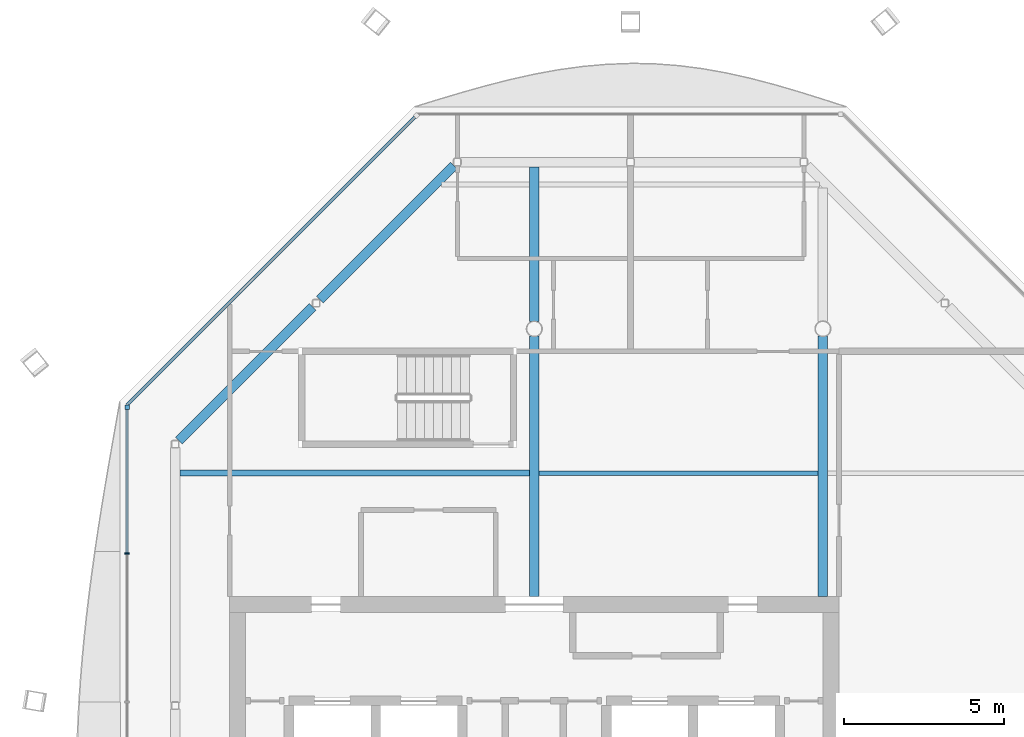
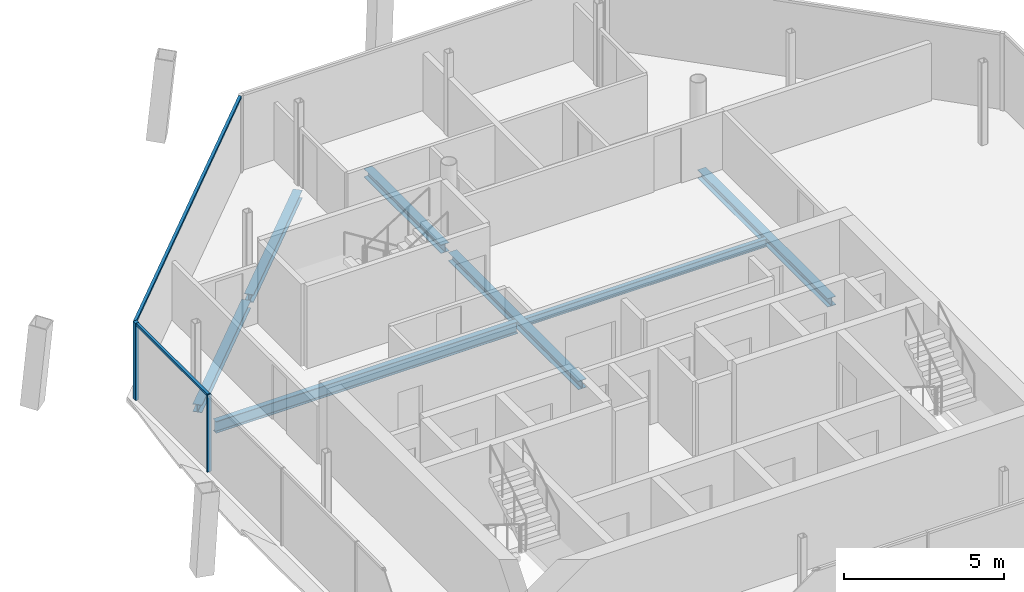
# One storey, part 5 of 13: 7 beams, 4 members, 2 elements without a shape of their own.
"""IFC4 building model written with IfcOpenShell, lengths in metres."""

from ifc_helpers import new_model, si_unit, direction, frame, origin, origin_2d, place, context, subcontext, project, spatial, rectangle, i_section, extrude, material, material_profile, profile_set, type_object, element, aggregate, save


model = new_model("IFC4")

# Units and contexts
model_context = context("Model", 3, precision=1e-05, world=origin(), true_north=direction((0.0, 1.0)))
body_context = subcontext(model_context, "Body", "Model", "MODEL_VIEW")
ifc_project = project(units=[si_unit("LENGTHUNIT", "METRE"), si_unit("AREAUNIT", "SQUARE_METRE"), si_unit("VOLUMEUNIT", "CUBIC_METRE"), si_unit("PLANEANGLEUNIT", "RADIAN"), si_unit("MASSUNIT", "GRAM", prefix="KILO")], contexts=[model_context])

# Site, building, storey
site_placement = place(None, origin())
site = spatial("IfcSite", under=ifc_project, at=site_placement, CompositionType="ELEMENT")
building_placement = place(site_placement, origin())
building = spatial("IfcBuilding", under=site, at=building_placement, Name="Tskaro Facet Tower", CompositionType="ELEMENT")
storey_placement = place(building_placement, frame((0.0, 0.0, 281.550048828125)))
storey = spatial("IfcBuildingStorey", under=building, at=storey_placement, Name="L75", CompositionType="ELEMENT", Elevation=281.550048828125)

# Curtain wall, members
ifc_material_1 = material(Name="Bronze anodised aluminium 6063-T6", Category="aluminium")
curtain_wall_type = type_object("IfcCurtainWallType", Name="Bronze residence curtain wall (FW3)", PredefinedType="NOTDEFINED", material=ifc_material_1)
curtain_wall_1_placement = place(storey_placement, origin())
curtain_wall_1 = element("IfcCurtainWall", 1, at=curtain_wall_1_placement, inside=storey, type_object=curtain_wall_type, Name="FW3 west facet L75", PredefinedType="NOTDEFINED")
ifc_material_profile_1 = material_profile(ifc_material_1, rectangle(XDim=0.139892578125, YDim=0.139892578125, at=origin_2d()), Name="Corner post 140x140")
ifc_profile_set_1 = profile_set([ifc_material_profile_1], Name="Bronze anodised aluminium 6063-T6")
member_type_1 = type_object("IfcMemberType", Name="FW3 bronze corner post 140x140", PredefinedType="MULLION", material=ifc_profile_set_1)
member_1_placement = place(storey_placement, frame((-12.697998046875, 6.555908203125, 0.0), z_axis=(0.0, 0.0, 1.0), x_axis=(0.0, -1.0, 0.0)))
member_1 = element("IfcMember", 2, at=member_1_placement, type_object=member_type_1, Name="FW3 west corner post", PredefinedType="MULLION", context=body_context, shape_type="SweptSolid", body=[
    extrude(rectangle(XDim=0.139892578125, YDim=0.139892578125, at=origin_2d()), origin(), (0.0, 0.0, 1.0), 2.949951171875),
])
ifc_material_profile_2 = material_profile(ifc_material_1, rectangle(XDim=0.050048828125, YDim=0.139892578125, at=origin_2d()), Name="Mullion 50x140")
ifc_profile_set_2 = profile_set([ifc_material_profile_2], Name="Bronze anodised aluminium 6063-T6")
member_type_2 = type_object("IfcMemberType", Name="FW3 bronze mullion 50x140", PredefinedType="MULLION", material=ifc_profile_set_2)
member_2_placement = place(storey_placement, frame((-12.697998046875, 1.997802734375, 0.0), z_axis=(0.0, 0.0, 1.0), x_axis=(0.0, -1.0, 0.0)))
member_2 = element("IfcMember", 3, at=member_2_placement, type_object=member_type_2, Name="FW3 west mullion 1", PredefinedType="MULLION", context=body_context, shape_type="SweptSolid", body=[
    extrude(rectangle(XDim=0.050048828125, YDim=0.139892578125, at=origin_2d()), origin(), (0.0, 0.0, 1.0), 2.949951171875),
])

# Curtain wall, member
curtain_wall_2_placement = place(storey_placement, origin())
curtain_wall_2 = element("IfcCurtainWall", 4, at=curtain_wall_2_placement, inside=storey, type_object=curtain_wall_type, Name="FW3 north-west facet L75", PredefinedType="NOTDEFINED")
ifc_material_profile_3 = material_profile(ifc_material_1, rectangle(XDim=0.10009765625, YDim=0.090087890625, at=origin_2d()), Name="Transom 100x90")
ifc_profile_set_3 = profile_set([ifc_material_profile_3], Name="Bronze anodised aluminium 6063-T6")
member_type_3 = type_object("IfcMemberType", Name="FW3 bronze transom 100x90", PredefinedType="USERDEFINED", material=ifc_profile_set_3)
member_3_placement = place(storey_placement, frame((-3.72509765625, 15.59912109375, 2.905029296875), z_axis=(-0.707097161537, -0.707116400705, 0.0), x_axis=(0.707116400705, -0.707097161537, 0.0)))
member_3 = element("IfcMember", 5, at=member_3_placement, type_object=member_type_3, Name="FW3 north-west transom 1.1", ObjectType="TRANSOM", PredefinedType="USERDEFINED", context=body_context, shape_type="SweptSolid", body=[
    extrude(rectangle(XDim=0.10009765625, YDim=0.090087890625, at=origin_2d()), origin(), (0.0, 0.0, 1.0), 12.689697265625),
])
aggregate(curtain_wall_2, [member_3])

# Member
member_4_placement = place(storey_placement, frame((-12.697998046875, 6.486083984375, 2.905029296875), z_axis=(0.0, -1.0, 0.0), x_axis=(1.0, 0.0, 0.0)))
member_4 = element("IfcMember", 6, at=member_4_placement, type_object=member_type_3, Name="FW3 west transom 1.1", ObjectType="TRANSOM", PredefinedType="USERDEFINED", context=body_context, shape_type="SweptSolid", body=[
    extrude(rectangle(XDim=0.10009765625, YDim=0.090087890625, at=origin_2d()), origin(), (0.0, 0.0, 1.0), 4.46337890625),
])

aggregate(curtain_wall_1, [member_1, member_2, member_4])

# Beams
ifc_material_2 = material(Name="Steel S355J2", Category="steel")
ifc_material_profile_4 = material_profile(ifc_material_2, i_section(OverallWidth=0.300048828125, OverallDepth=0.300048828125, WebThickness=0.010986328125, FlangeThickness=0.01904296875, FilletRadius=0.027099609375, at=origin_2d()), Name="HE 300 B")
ifc_profile_set_4 = profile_set([ifc_material_profile_4], Name="Steel S355J2")
beam_type_1 = type_object("IfcBeamType", Name="HE 300 B ring beam", PredefinedType="BEAM", material=ifc_profile_set_4)
for number, where, z_axis, x_axis, name in (
    (7, (-2.513916015625, 14.089111328125, -0.2900390625), (-0.707024112481, -0.707189440228, 0.0), (0.707189440228, -0.707024112481, 0.0), "HE 300 B EB11-6"),
    (8, (-6.911865234375, 9.690185546875, -0.2900390625), (-0.707189440228, -0.707024112481, 0.0), (0.707024112481, -0.707189440228, 0.0), "HE 300 B EB12-6"),
):
    element("IfcBeam", number, at=place(storey_placement, frame(where, z_axis=z_axis, x_axis=x_axis)), inside=storey, type_object=beam_type_1, Name=name, PredefinedType="BEAM", context=body_context, shape_type="SweptSolid", body=[
        extrude(i_section(OverallWidth=0.300048828125, OverallDepth=0.300048828125, WebThickness=0.010986328125, FlangeThickness=0.01904296875, FilletRadius=0.027099609375, at=origin_2d()), origin(), (0.0, 0.0, 1.0), 5.90673828125),
    ])
ifc_material_profile_5 = material_profile(ifc_material_2, i_section(OverallWidth=0.300048828125, OverallDepth=0.330078125, WebThickness=0.009521484375, FlangeThickness=0.0166015625, FilletRadius=0.027099609375, at=origin_2d()), Name="HE 340 A")
ifc_profile_set_5 = profile_set([ifc_material_profile_5], Name="Steel S355J2")
beam_type_2 = type_object("IfcBeamType", Name="HE 340 A girder", PredefinedType="BEAM", material=ifc_profile_set_5)
beam_1_placement = place(storey_placement, frame((0.0, 0.64990234375, -0.304931640625), z_axis=(0.0, 1.0, 0.0), x_axis=(-1.0, 0.0, 0.0)))
element("IfcBeam", 9, at=beam_1_placement, inside=storey, type_object=beam_type_2, Name="HE 340 A GB4-2-6", PredefinedType="BEAM", context=body_context, shape_type="SweptSolid", body=[
    extrude(i_section(OverallWidth=0.300048828125, OverallDepth=0.330078125, WebThickness=0.009521484375, FlangeThickness=0.0166015625, FilletRadius=0.027099609375, at=origin_2d()), origin(), (0.0, 0.0, 1.0), 8.1259765625),
])
beam_2_placement = place(storey_placement, frame((0.0, 9.22412109375, -0.304931640625), z_axis=(0.0, 1.0, 0.0), x_axis=(-1.0, 0.0, 0.0)))
element("IfcBeam", 10, at=beam_2_placement, inside=storey, type_object=beam_type_2, Name="HE 340 A GB4-3-6", PredefinedType="BEAM", context=body_context, shape_type="SweptSolid", body=[
    extrude(i_section(OverallWidth=0.300048828125, OverallDepth=0.330078125, WebThickness=0.009521484375, FlangeThickness=0.0166015625, FilletRadius=0.027099609375, at=origin_2d()), origin(), (0.0, 0.0, 1.0), 4.825927734375),
])
beam_3_placement = place(storey_placement, frame((9.0, 0.64990234375, -0.304931640625), z_axis=(0.0, 1.0, 0.0), x_axis=(-1.0, 0.0, 0.0)))
element("IfcBeam", 11, at=beam_3_placement, inside=storey, type_object=beam_type_2, Name="HE 340 A GB5-2-6", PredefinedType="BEAM", context=body_context, shape_type="SweptSolid", body=[
    extrude(i_section(OverallWidth=0.300048828125, OverallDepth=0.330078125, WebThickness=0.009521484375, FlangeThickness=0.0166015625, FilletRadius=0.027099609375, at=origin_2d()), origin(), (0.0, 0.0, 1.0), 8.1259765625),
])
ifc_material_profile_6 = material_profile(ifc_material_2, i_section(OverallWidth=0.14990234375, OverallDepth=0.300048828125, WebThickness=0.007080078125, FlangeThickness=0.0107421875, FilletRadius=0.014892578125, at=origin_2d()), Name="IPE 300")
ifc_profile_set_6 = profile_set([ifc_material_profile_6], Name="Steel S355J2")
beam_type_3 = type_object("IfcBeamType", Name="IPE 300 secondary beam", PredefinedType="BEAM", material=ifc_profile_set_6)
beam_4_placement = place(storey_placement, frame((0.14990234375, 4.5, -0.2900390625), z_axis=(1.0, 0.0, 0.0), x_axis=(0.0, 1.0, 0.0)))
element("IfcBeam", 12, at=beam_4_placement, inside=storey, type_object=beam_type_3, Name="IPE 300 SB4a-2-6", PredefinedType="BEAM", context=body_context, shape_type="SweptSolid", body=[
    extrude(i_section(OverallWidth=0.14990234375, OverallDepth=0.300048828125, WebThickness=0.007080078125, FlangeThickness=0.0107421875, FilletRadius=0.014892578125, at=origin_2d()), origin(), (0.0, 0.0, 1.0), 8.7001953125),
])
ifc_material_profile_7 = material_profile(ifc_material_2, i_section(OverallWidth=0.18994140625, OverallDepth=0.449951171875, WebThickness=0.009521484375, FlangeThickness=0.0146484375, FilletRadius=0.02099609375, at=origin_2d()), Name="IPE 450")
ifc_profile_set_7 = profile_set([ifc_material_profile_7], Name="Steel S355J2")
beam_type_4 = type_object("IfcBeamType", Name="IPE 450 long secondary beam", PredefinedType="BEAM", material=ifc_profile_set_7)
beam_5_placement = place(storey_placement, frame((-11.050048828125, 4.5, -0.364990234375), z_axis=(1.0, 0.0, 0.0), x_axis=(0.0, 1.0, 0.0)))
element("IfcBeam", 13, at=beam_5_placement, inside=storey, type_object=beam_type_4, Name="IPE 450 LSB4a-1-6", PredefinedType="BEAM", context=body_context, shape_type="SweptSolid", body=[
    extrude(i_section(OverallWidth=0.18994140625, OverallDepth=0.449951171875, WebThickness=0.009521484375, FlangeThickness=0.0146484375, FilletRadius=0.02099609375, at=origin_2d()), origin(), (0.0, 0.0, 1.0), 10.900146484375),
])

save(model, "model.ifc")
